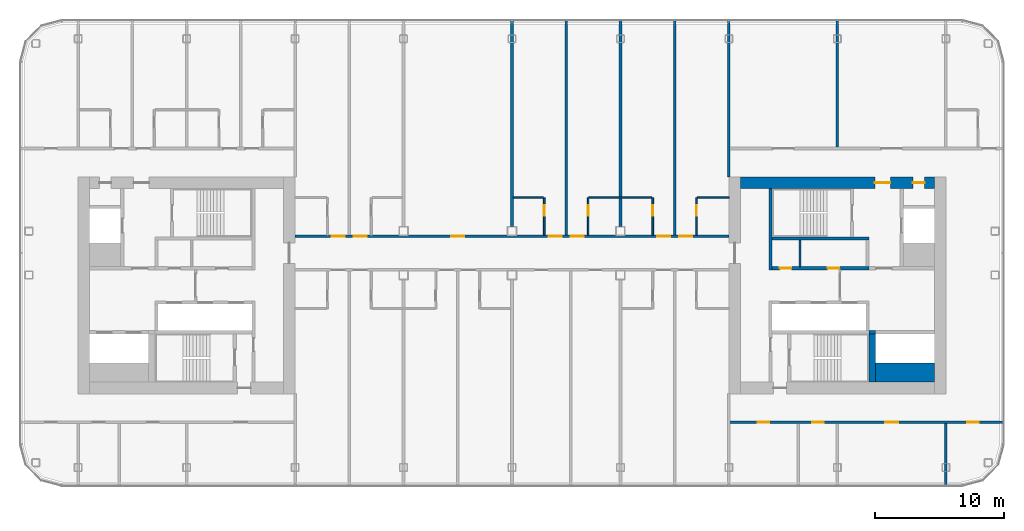
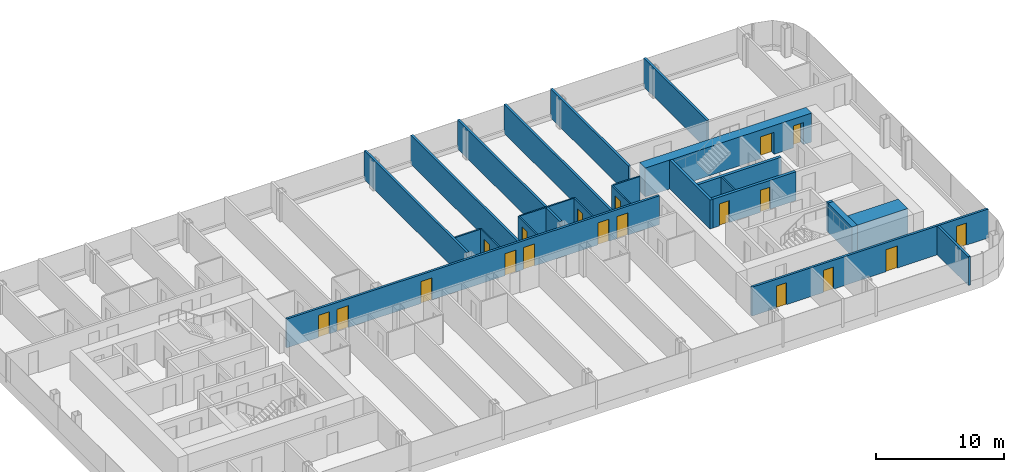
# One storey, part 16 of 26: 24 walls, 19 doors, 19 openings.
"""IFC4 building model written with IfcOpenShell, lengths in metres."""

from ifc_helpers import new_model, si_unit, direction, frame, frame_2d, origin, place, context, subcontext, project, spatial, rectangle, extrude, material, layer, layer_set, type_object, element, fill, save


model = new_model("IFC4")

# Units and contexts
model_context = context("Model", 3, precision=1e-05, world=origin(), true_north=direction((0.0, 1.0)))
body_context = subcontext(model_context, "Body", "Model", "MODEL_VIEW")
ifc_project = project(units=[si_unit("LENGTHUNIT", "METRE"), si_unit("AREAUNIT", "SQUARE_METRE"), si_unit("VOLUMEUNIT", "CUBIC_METRE"), si_unit("PLANEANGLEUNIT", "RADIAN"), si_unit("MASSUNIT", "GRAM", prefix="KILO")], contexts=[model_context])

# Site, building, storey
site_placement = place(None, origin())
site = spatial("IfcSite", under=ifc_project, at=site_placement, CompositionType="ELEMENT")
building_placement = place(site_placement, origin())
building = spatial("IfcBuilding", under=site, at=building_placement, Name="Hakoniwa Tower and Hamabe Station Hall", CompositionType="ELEMENT")
storey_placement = place(building_placement, frame((0.0, 0.0, 189.800048828125)))
storey = spatial("IfcBuildingStorey", under=building, at=storey_placement, Name="L53", CompositionType="ELEMENT", Elevation=189.800048828125)

# Walls
ifc_material_1 = material(Name="Gypsum board partition", Category="gypsum")
ifc_layer_1 = layer(ifc_material_1, 0.125)
ifc_layer_set_1 = layer_set([ifc_layer_1], Name="Bathroom Partition 125")
wall_type_1 = type_object("IfcWallType", Name="Bathroom Partition 125", PredefinedType="PARTITIONING", material=ifc_layer_set_1)
wall_1_placement = place(storey_placement, frame((0.10009765625, 6.800048828125, 0.0), z_axis=(0.0, 0.0, 1.0), x_axis=(1.0, 0.0, 0.0)))
element("IfcWall", 1, at=wall_1_placement, inside=storey, type_object=wall_type_1, Name="GW-L53-012", PredefinedType="PARTITIONING", context=body_context, shape_type="SweptSolid", body=[
    extrude(rectangle(XDim=2.33740234375, YDim=0.125, at=frame_2d((1.168701171875, 0.0))), origin(), (0.0, 0.0, 1.0), 2.75),
])
wall_2_placement = place(storey_placement, frame((5.96240234375, 6.800048828125, 0.0), z_axis=(0.0, 0.0, 1.0), x_axis=(1.0, 0.0, 0.0)))
element("IfcWall", 2, at=wall_2_placement, inside=storey, type_object=wall_type_1, Name="GW-L53-013", PredefinedType="PARTITIONING", context=body_context, shape_type="SweptSolid", body=[
    extrude(rectangle(XDim=4.875, YDim=0.125, at=frame_2d((2.4375, 0.0))), origin(), (0.0, 0.0, 1.0), 2.75),
])
wall_3_placement = place(storey_placement, frame((14.362548828125, 6.800048828125, 0.0), z_axis=(0.0, 0.0, 1.0), x_axis=(1.0, 0.0, 0.0)))
element("IfcWall", 3, at=wall_3_placement, inside=storey, type_object=wall_type_1, Name="GW-L53-014", PredefinedType="PARTITIONING", context=body_context, shape_type="SweptSolid", body=[
    extrude(rectangle(XDim=2.447509765625, YDim=0.125, at=frame_2d((1.2236328125, 0.0))), origin(), (0.0, 0.0, 1.0), 2.75),
])

# Wall, opening, door
wall_4_placement = place(storey_placement, frame((2.5, 3.89990234375, 0.0), z_axis=(0.0, 0.0, 1.0), x_axis=(0.0, 1.0, 0.0)))
wall_4 = element("IfcWall", 4, at=wall_4_placement, inside=storey, type_object=wall_type_1, Name="GW-L53-047", PredefinedType="PARTITIONING", context=body_context, shape_type="SweptSolid", body=[
    extrude(rectangle(XDim=2.900146484375, YDim=0.125, at=frame_2d((1.4501953125, 0.0))), origin(), (0.0, 0.0, 1.0), 2.75),
])
opening_1_placement = place(wall_4_placement, frame((1.5, 0.0, 0.0)))
opening_1 = element("IfcOpeningElement", 5, at=opening_1_placement, cuts=wall_4, Name="Opening GD-G4B0-42", PredefinedType="OPENING", context=body_context, shape_type="SweptSolid", body=[
    extrude(rectangle(XDim=0.800048828125, YDim=2.10009765625, at=frame_2d((0.39990234375, 1.050048828125))), frame((0.0, 0.072509765625, 0.0), z_axis=(0.0, -1.0, 0.0), x_axis=(1.0, 0.0, 0.0)), (0.0, 0.0, 1.0), 0.14501953125),
])
ifc_material_2 = material(Name="Timber door leaf", Category="wood")
door_type_1 = type_object("IfcDoorType", Name="Bathroom Door 800", OperationType="SINGLE_SWING_LEFT", PredefinedType="DOOR", material=ifc_material_2)
door_1_placement = place(opening_1_placement, origin())
door_1 = element("IfcDoor", 6, at=door_1_placement, inside=storey, type_object=door_type_1, Name="Door GD-G4B0-42", OperationType="SINGLE_SWING_LEFT", OverallHeight=2.10009765625, OverallWidth=0.800048828125, PredefinedType="DOOR", context=body_context, shape_type="SweptSolid", body=[
    extrude(rectangle(XDim=0.800048828125, YDim=2.10009765625, at=frame_2d((0.39990234375, 1.050048828125))), frame((0.0, 0.02490234375, 0.0), z_axis=(0.0, -1.0, 0.0), x_axis=(1.0, 0.0, 0.0)), (0.0, 0.0, 1.0), 0.050048828125),
])
fill(opening_1, door_1)

wall_5_placement = place(storey_placement, frame((5.89990234375, 3.89990234375, 0.0), z_axis=(0.0, 0.0, 1.0), x_axis=(0.0, 1.0, 0.0)))
wall_5 = element("IfcWall", 7, at=wall_5_placement, inside=storey, type_object=wall_type_1, Name="GW-L53-050", PredefinedType="PARTITIONING", context=body_context, shape_type="SweptSolid", body=[
    extrude(rectangle(XDim=2.900146484375, YDim=0.125, at=frame_2d((1.4501953125, 0.0))), origin(), (0.0, 0.0, 1.0), 2.75),
])
opening_2_placement = place(wall_5_placement, frame((1.5, 0.0, 0.0)))
opening_2 = element("IfcOpeningElement", 8, at=opening_2_placement, cuts=wall_5, Name="Opening GD-G4B0-43", PredefinedType="OPENING", context=body_context, shape_type="SweptSolid", body=[
    extrude(rectangle(XDim=0.800048828125, YDim=2.10009765625, at=frame_2d((0.39990234375, 1.050048828125))), frame((0.0, 0.072509765625, 0.0), z_axis=(0.0, -1.0, 0.0), x_axis=(1.0, 0.0, 0.0)), (0.0, 0.0, 1.0), 0.14501953125),
])
door_2_placement = place(opening_2_placement, origin())
door_2 = element("IfcDoor", 9, at=door_2_placement, inside=storey, type_object=door_type_1, Name="Door GD-G4B0-43", OperationType="SINGLE_SWING_RIGHT", OverallHeight=2.10009765625, OverallWidth=0.800048828125, PredefinedType="DOOR", context=body_context, shape_type="SweptSolid", body=[
    extrude(rectangle(XDim=0.800048828125, YDim=2.10009765625, at=frame_2d((0.39990234375, 1.050048828125))), frame((0.0, 0.02490234375, 0.0), z_axis=(0.0, -1.0, 0.0), x_axis=(1.0, 0.0, 0.0)), (0.0, 0.0, 1.0), 0.050048828125),
])
fill(opening_2, door_2)

wall_6_placement = place(storey_placement, frame((10.89990234375, 3.89990234375, 0.0), z_axis=(0.0, 0.0, 1.0), x_axis=(0.0, 1.0, 0.0)))
wall_6 = element("IfcWall", 10, at=wall_6_placement, inside=storey, type_object=wall_type_1, Name="GW-L53-054", PredefinedType="PARTITIONING", context=body_context, shape_type="SweptSolid", body=[
    extrude(rectangle(XDim=2.900146484375, YDim=0.125, at=frame_2d((1.4501953125, 0.0))), origin(), (0.0, 0.0, 1.0), 2.75),
])
opening_3_placement = place(wall_6_placement, frame((1.5, 0.0, 0.0)))
opening_3 = element("IfcOpeningElement", 11, at=opening_3_placement, cuts=wall_6, Name="Opening GD-G4B0-45", PredefinedType="OPENING", context=body_context, shape_type="SweptSolid", body=[
    extrude(rectangle(XDim=0.800048828125, YDim=2.10009765625, at=frame_2d((0.39990234375, 1.050048828125))), frame((0.0, 0.072509765625, 0.0), z_axis=(0.0, -1.0, 0.0), x_axis=(1.0, 0.0, 0.0)), (0.0, 0.0, 1.0), 0.14501953125),
])
door_3_placement = place(opening_3_placement, origin())
door_3 = element("IfcDoor", 12, at=door_3_placement, inside=storey, type_object=door_type_1, Name="Door GD-G4B0-45", OperationType="SINGLE_SWING_LEFT", OverallHeight=2.10009765625, OverallWidth=0.800048828125, PredefinedType="DOOR", context=body_context, shape_type="SweptSolid", body=[
    extrude(rectangle(XDim=0.800048828125, YDim=2.10009765625, at=frame_2d((0.39990234375, 1.050048828125))), frame((0.0, 0.02490234375, 0.0), z_axis=(0.0, -1.0, 0.0), x_axis=(1.0, 0.0, 0.0)), (0.0, 0.0, 1.0), 0.050048828125),
])
fill(opening_3, door_3)

wall_7_placement = place(storey_placement, frame((14.300048828125, 3.89990234375, 0.0), z_axis=(0.0, 0.0, 1.0), x_axis=(0.0, 1.0, 0.0)))
wall_7 = element("IfcWall", 13, at=wall_7_placement, inside=storey, type_object=wall_type_1, Name="GW-L53-058", PredefinedType="PARTITIONING", context=body_context, shape_type="SweptSolid", body=[
    extrude(rectangle(XDim=2.900146484375, YDim=0.125, at=frame_2d((1.4501953125, 0.0))), origin(), (0.0, 0.0, 1.0), 2.75),
])
opening_4_placement = place(wall_7_placement, frame((1.5, 0.0, 0.0)))
opening_4 = element("IfcOpeningElement", 14, at=opening_4_placement, cuts=wall_7, Name="Opening GD-G4B0-47", PredefinedType="OPENING", context=body_context, shape_type="SweptSolid", body=[
    extrude(rectangle(XDim=0.800048828125, YDim=2.10009765625, at=frame_2d((0.39990234375, 1.050048828125))), frame((0.0, 0.072509765625, 0.0), z_axis=(0.0, -1.0, 0.0), x_axis=(1.0, 0.0, 0.0)), (0.0, 0.0, 1.0), 0.14501953125),
])
door_4_placement = place(opening_4_placement, origin())
door_4 = element("IfcDoor", 15, at=door_4_placement, inside=storey, type_object=door_type_1, Name="Door GD-G4B0-47", OperationType="SINGLE_SWING_RIGHT", OverallHeight=2.10009765625, OverallWidth=0.800048828125, PredefinedType="DOOR", context=body_context, shape_type="SweptSolid", body=[
    extrude(rectangle(XDim=0.800048828125, YDim=2.10009765625, at=frame_2d((0.39990234375, 1.050048828125))), frame((0.0, 0.02490234375, 0.0), z_axis=(0.0, -1.0, 0.0), x_axis=(1.0, 0.0, 0.0)), (0.0, 0.0, 1.0), 0.050048828125),
])
fill(opening_4, door_4)

# Wall
ifc_material_3 = material(Name="Gypsum board partition")
ifc_layer_2 = layer(ifc_material_3, 0.14990234375)
ifc_layer_set_2 = layer_set([ifc_layer_2], Name="CORE PARTITION 150 EI 60")
wall_type_2 = type_object("IfcWallType", Name="CORE PARTITION 150 EI 60", PredefinedType="PARTITIONING", material=ifc_layer_set_2)
wall_8_placement = place(storey_placement, frame((22.300048828125, 1.449951171875, 0.0), z_axis=(0.0, 0.0, 1.0), x_axis=(0.0, 1.0, 0.0)))
element("IfcWall", 16, at=wall_8_placement, inside=storey, type_object=wall_type_2, Name="Core partition PFLR0 east", PredefinedType="PARTITIONING", context=body_context, shape_type="SweptSolid", body=[
    extrude(rectangle(XDim=2.050048828125, YDim=0.14990234375, at=frame_2d((1.02490234375, 0.0))), origin(), (0.0, 0.0, 1.0), 2.75),
])

# Wall, openings, doors
ifc_material_4 = material(Name="Concrete C60", Category="concrete")
ifc_layer_3 = layer(ifc_material_4, 0.89990234375)
ifc_layer_set_3 = layer_set([ifc_layer_3], Name="CORE WALL 900 C60")
wall_type_3 = type_object("IfcWallType", Name="CORE WALL 900 C60", PredefinedType="SHEAR", material=ifc_layer_set_3)
wall_9_placement = place(storey_placement, frame((17.699951171875, 7.949951171875, 0.0), z_axis=(0.0, 0.0, 1.0), x_axis=(1.0, 0.0, 0.0)))
wall_9 = element("IfcWall", 17, at=wall_9_placement, inside=storey, type_object=wall_type_3, Name="Core wall NORTH east", PredefinedType="SHEAR", context=body_context, shape_type="SweptSolid", body=[
    extrude(rectangle(XDim=15.0, YDim=0.89990234375, at=frame_2d((7.5, 0.0))), origin(), (0.0, 0.0, 1.0), 2.75),
])
opening_5_placement = place(wall_9_placement, frame((10.39990234375, 0.0, 0.0)))
opening_5 = element("IfcOpeningElement", 18, at=opening_5_placement, cuts=wall_9, Name="Opening CD-E-FN1-12", PredefinedType="OPENING", context=body_context, shape_type="SweptSolid", body=[
    extrude(rectangle(XDim=1.199951171875, YDim=2.10009765625, at=frame_2d((0.60009765625, 1.050048828125))), frame((0.0, 0.4599609375, 0.0), z_axis=(0.0, -1.0, 0.0), x_axis=(1.0, 0.0, 0.0)), (0.0, 0.0, 1.0), 0.919921875),
])
opening_6_placement = place(wall_9_placement, frame((13.35009765625, 0.0, 0.0)))
opening_6 = element("IfcOpeningElement", 19, at=opening_6_placement, cuts=wall_9, Name="Opening CD-E-FN2-9", PredefinedType="OPENING", context=body_context, shape_type="SweptSolid", body=[
    extrude(rectangle(XDim=0.89990234375, YDim=2.10009765625, at=frame_2d((0.449951171875, 1.050048828125))), frame((0.0, 0.4599609375, 0.0), z_axis=(0.0, -1.0, 0.0), x_axis=(1.0, 0.0, 0.0)), (0.0, 0.0, 1.0), 0.919921875),
])
ifc_material_5 = material(Name="Steel fire door", Category="steel")
door_type_2 = type_object("IfcDoorType", Name="CORE DOOR 1200 FD60", OperationType="DOUBLE_DOOR_SINGLE_SWING", PredefinedType="DOOR", material=ifc_material_5)
door_5_placement = place(opening_5_placement, origin())
door_5 = element("IfcDoor", 20, at=door_5_placement, inside=storey, type_object=door_type_2, Name="Stair vestibule door to the fire-fighting lobby", OperationType="DOUBLE_DOOR_SINGLE_SWING", OverallHeight=2.10009765625, OverallWidth=1.199951171875, PredefinedType="DOOR", context=body_context, shape_type="SweptSolid", body=[
    extrude(rectangle(XDim=1.199951171875, YDim=2.10009765625, at=frame_2d((0.60009765625, 1.050048828125))), frame((0.0, 0.02490234375, 0.0), z_axis=(0.0, -1.0, 0.0), x_axis=(1.0, 0.0, 0.0)), (0.0, 0.0, 1.0), 0.050048828125),
])
fill(opening_5, door_5)
ifc_material_6 = material(Name="Steel fire door", Category="steel")
door_type_3 = type_object("IfcDoorType", Name="CORE DOOR 900 FD30", OperationType="NOTDEFINED", PredefinedType="DOOR", material=ifc_material_6)
door_6_placement = place(opening_6_placement, origin())
door_6 = element("IfcDoor", 21, at=door_6_placement, inside=storey, type_object=door_type_3, Name="Riser access door", OperationType="SINGLE_SWING_LEFT", OverallHeight=2.10009765625, OverallWidth=0.89990234375, PredefinedType="DOOR", context=body_context, shape_type="SweptSolid", body=[
    extrude(rectangle(XDim=0.89990234375, YDim=2.10009765625, at=frame_2d((0.449951171875, 1.050048828125))), frame((0.0, 0.02490234375, 0.0), z_axis=(0.0, -1.0, 0.0), x_axis=(1.0, 0.0, 0.0)), (0.0, 0.0, 1.0), 0.050048828125),
])
fill(opening_6, door_6)

# Walls
ifc_material_7 = material(Name="Concrete C60", Category="concrete")
ifc_layer_4 = layer(ifc_material_7, 1.5)
ifc_layer_set_4 = layer_set([ifc_layer_4], Name="CORE WEB WALL 1500 C60")
wall_type_4 = type_object("IfcWallType", Name="CORE WEB WALL 1500 C60", PredefinedType="SHEAR", material=ifc_layer_set_4)
wall_10_placement = place(storey_placement, frame((28.14990234375, -6.75, 0.0), z_axis=(0.0, 0.0, 1.0), x_axis=(1.0, 0.0, 0.0)))
element("IfcWall", 22, at=wall_10_placement, inside=storey, type_object=wall_type_4, Name="Core wall SER east", PredefinedType="SHEAR", context=body_context, shape_type="SweptSolid", body=[
    extrude(rectangle(XDim=4.550048828125, YDim=1.5, at=frame_2d((2.27490234375, 0.0))), origin(), (0.0, 0.0, 1.0), 2.75),
])
ifc_material_8 = material(Name="Concrete C60", Category="concrete")
ifc_layer_5 = layer(ifc_material_8, 0.25)
ifc_layer_set_5 = layer_set([ifc_layer_5], Name="CORE WEB WALL 250 C60")
wall_type_5 = type_object("IfcWallType", Name="CORE WEB WALL 250 C60", PredefinedType="SHEAR", material=ifc_layer_set_5)
wall_11_placement = place(storey_placement, frame((20.02490234375, 1.199951171875, 0.0), z_axis=(0.0, 0.0, 1.0), x_axis=(0.0, 1.0, 0.0)))
element("IfcWall", 23, at=wall_11_placement, inside=storey, type_object=wall_type_5, Name="Core wall W1N east", PredefinedType="SHEAR", context=body_context, shape_type="SweptSolid", body=[
    extrude(rectangle(XDim=6.300048828125, YDim=0.25, at=frame_2d((3.14990234375, 0.0))), origin(), (0.0, 0.0, 1.0), 2.75),
])

# Wall, openings, doors
wall_12_placement = place(storey_placement, frame((20.14990234375, 1.324951171875, 0.0), z_axis=(0.0, 0.0, 1.0), x_axis=(1.0, 0.0, 0.0)))
wall_12 = element("IfcWall", 24, at=wall_12_placement, inside=storey, type_object=wall_type_5, Name="Core wall NF east", PredefinedType="SHEAR", context=body_context, shape_type="SweptSolid", body=[
    extrude(rectangle(XDim=7.5, YDim=0.25, at=frame_2d((3.75, 0.0))), origin(), (0.0, 0.0, 1.0), 2.75),
])
opening_7_placement = place(wall_12_placement, frame((0.58740234375, 0.0, 0.0)))
opening_7 = element("IfcOpeningElement", 25, at=opening_7_placement, cuts=wall_12, Name="Opening CD-E-FRLR0-9", PredefinedType="OPENING", context=body_context, shape_type="SweptSolid", body=[
    extrude(rectangle(XDim=0.89990234375, YDim=2.10009765625, at=frame_2d((0.449951171875, 1.050048828125))), frame((0.0, 0.135009765625, 0.0), z_axis=(0.0, -1.0, 0.0), x_axis=(1.0, 0.0, 0.0)), (0.0, 0.0, 1.0), 0.27001953125),
])
opening_8_placement = place(wall_12_placement, frame((4.28759765625, 0.0, 0.0)))
opening_8 = element("IfcOpeningElement", 26, at=opening_8_placement, cuts=wall_12, Name="Opening CD-E-FRLR1-9", PredefinedType="OPENING", context=body_context, shape_type="SweptSolid", body=[
    extrude(rectangle(XDim=0.89990234375, YDim=2.10009765625, at=frame_2d((0.449951171875, 1.050048828125))), frame((0.0, 0.135009765625, 0.0), z_axis=(0.0, -1.0, 0.0), x_axis=(1.0, 0.0, 0.0)), (0.0, 0.0, 1.0), 0.27001953125),
])
door_7_placement = place(opening_7_placement, origin())
door_7 = element("IfcDoor", 27, at=door_7_placement, inside=storey, type_object=door_type_3, Name="Store room door", OperationType="SINGLE_SWING_LEFT", OverallHeight=2.10009765625, OverallWidth=0.89990234375, PredefinedType="DOOR", context=body_context, shape_type="SweptSolid", body=[
    extrude(rectangle(XDim=0.89990234375, YDim=2.10009765625, at=frame_2d((0.449951171875, 1.050048828125))), frame((0.0, 0.02490234375, 0.0), z_axis=(0.0, -1.0, 0.0), x_axis=(1.0, 0.0, 0.0)), (0.0, 0.0, 1.0), 0.050048828125),
])
fill(opening_7, door_7)
door_8_placement = place(opening_8_placement, origin())
door_8 = element("IfcDoor", 28, at=door_8_placement, inside=storey, type_object=door_type_3, Name="Store room door", OperationType="SINGLE_SWING_LEFT", OverallHeight=2.10009765625, OverallWidth=0.89990234375, PredefinedType="DOOR", context=body_context, shape_type="SweptSolid", body=[
    extrude(rectangle(XDim=0.89990234375, YDim=2.10009765625, at=frame_2d((0.449951171875, 1.050048828125))), frame((0.0, 0.02490234375, 0.0), z_axis=(0.0, -1.0, 0.0), x_axis=(1.0, 0.0, 0.0)), (0.0, 0.0, 1.0), 0.050048828125),
])
fill(opening_8, door_8)

# Walls
wall_13_placement = place(storey_placement, frame((20.14990234375, 3.625, 0.0), z_axis=(0.0, 0.0, 1.0), x_axis=(1.0, 0.0, 0.0)))
element("IfcWall", 29, at=wall_13_placement, inside=storey, type_object=wall_type_5, Name="Core wall NR east", PredefinedType="SHEAR", context=body_context, shape_type="SweptSolid", body=[
    extrude(rectangle(XDim=7.5, YDim=0.25, at=frame_2d((3.75, 0.0))), origin(), (0.0, 0.0, 1.0), 2.75),
])
wall_14_placement = place(storey_placement, frame((27.64990234375, -3.625, 0.0), z_axis=(0.0, 0.0, 1.0), x_axis=(1.0, 0.0, 0.0)))
element("IfcWall", 30, at=wall_14_placement, inside=storey, type_object=wall_type_5, Name="Core wall SRK east", PredefinedType="SHEAR", context=body_context, shape_type="SweptSolid", body=[
    extrude(rectangle(XDim=0.5, YDim=0.25, at=frame_2d((0.25, 0.0))), origin(), (0.0, 0.0, 1.0), 2.75),
])
ifc_material_9 = material(Name="Concrete C60", Category="concrete")
ifc_layer_6 = layer(ifc_material_9, 0.5)
ifc_layer_set_6 = layer_set([ifc_layer_6], Name="CORE WEB WALL 500 C60")
wall_type_6 = type_object("IfcWallType", Name="CORE WEB WALL 500 C60", PredefinedType="SHEAR", material=ifc_layer_set_6)
wall_15_placement = place(storey_placement, frame((27.89990234375, -7.5, 0.0), z_axis=(0.0, 0.0, 1.0), x_axis=(0.0, 1.0, 0.0)))
element("IfcWall", 31, at=wall_15_placement, inside=storey, type_object=wall_type_6, Name="Core wall SSE east", PredefinedType="SHEAR", context=body_context, shape_type="SweptSolid", body=[
    extrude(rectangle(XDim=3.75, YDim=0.5, at=frame_2d((1.875, 0.0))), origin(), (0.0, 0.0, 1.0), 2.75),
])

# Wall, openings, doors
ifc_material_10 = material(Name="Fire-rated gypsum board partition", Category="gypsum")
ifc_layer_7 = layer(ifc_material_10, 0.199951171875)
ifc_layer_set_7 = layer_set([ifc_layer_7], Name="Corridor Wall 200")
wall_type_7 = type_object("IfcWallType", Name="Corridor Wall 200", PredefinedType="PARTITIONING", material=ifc_layer_set_7)
wall_16_placement = place(storey_placement, frame((16.800048828125, -10.60009765625, 0.0), z_axis=(0.0, 0.0, 1.0), x_axis=(1.0, 0.0, 0.0)))
wall_16 = element("IfcWall", 32, at=wall_16_placement, inside=storey, type_object=wall_type_7, Name="GW-L53-002", PredefinedType="PARTITIONING", context=body_context, shape_type="SweptSolid", body=[
    extrude(rectangle(XDim=21.300048828125, YDim=0.199951171875, at=frame_2d((10.64990234375, 0.0))), origin(), (0.0, 0.0, 1.0), 2.75),
])
opening_9_placement = place(wall_16_placement, frame((2.239990234375, 0.0, 0.0)))
opening_9 = element("IfcOpeningElement", 33, at=opening_9_placement, cuts=wall_16, Name="Opening GD-G4B0-05", PredefinedType="OPENING", context=body_context, shape_type="SweptSolid", body=[
    extrude(rectangle(XDim=0.89990234375, YDim=2.10009765625, at=frame_2d((0.449951171875, 1.050048828125))), frame((0.0, 0.10986328125, 0.0), z_axis=(0.0, -1.0, 0.0), x_axis=(1.0, 0.0, 0.0)), (0.0, 0.0, 1.0), 0.219970703125),
])
opening_10_placement = place(wall_16_placement, frame((6.43994140625, 0.0, 0.0)))
opening_10 = element("IfcOpeningElement", 34, at=opening_10_placement, cuts=wall_16, Name="Opening GD-G4B0-06", PredefinedType="OPENING", context=body_context, shape_type="SweptSolid", body=[
    extrude(rectangle(XDim=0.89990234375, YDim=2.10009765625, at=frame_2d((0.449951171875, 1.050048828125))), frame((0.0, 0.10986328125, 0.0), z_axis=(0.0, -1.0, 0.0), x_axis=(1.0, 0.0, 0.0)), (0.0, 0.0, 1.0), 0.219970703125),
])
opening_11_placement = place(wall_16_placement, frame((12.10009765625, 0.0, 0.0)))
opening_11 = element("IfcOpeningElement", 35, at=opening_11_placement, cuts=wall_16, Name="Opening GD-G4B0-07", PredefinedType="OPENING", context=body_context, shape_type="SweptSolid", body=[
    extrude(rectangle(XDim=1.0, YDim=2.10009765625, at=frame_2d((0.5, 1.050048828125))), frame((0.0, 0.10986328125, 0.0), z_axis=(0.0, -1.0, 0.0), x_axis=(1.0, 0.0, 0.0)), (0.0, 0.0, 1.0), 0.219970703125),
])
opening_12_placement = place(wall_16_placement, frame((18.449951171875, 0.0, 0.0)))
opening_12 = element("IfcOpeningElement", 36, at=opening_12_placement, cuts=wall_16, Name="Opening GD-G4B0-08", PredefinedType="OPENING", context=body_context, shape_type="SweptSolid", body=[
    extrude(rectangle(XDim=0.89990234375, YDim=2.10009765625, at=frame_2d((0.449951171875, 1.050048828125))), frame((0.0, 0.10986328125, 0.0), z_axis=(0.0, -1.0, 0.0), x_axis=(1.0, 0.0, 0.0)), (0.0, 0.0, 1.0), 0.219970703125),
])
ifc_material_11 = material(Name="Timber door leaf", Category="wood")
door_type_4 = type_object("IfcDoorType", Name="Guest Entrance Door 1000", OperationType="SINGLE_SWING_LEFT", PredefinedType="DOOR", material=ifc_material_11)
door_9_placement = place(opening_11_placement, origin())
door_9 = element("IfcDoor", 37, at=door_9_placement, inside=storey, type_object=door_type_4, Name="Door GD-G4B0-07", OperationType="SINGLE_SWING_LEFT", OverallHeight=2.10009765625, OverallWidth=1.0, PredefinedType="DOOR", context=body_context, shape_type="SweptSolid", body=[
    extrude(rectangle(XDim=1.0, YDim=2.10009765625, at=frame_2d((0.5, 1.050048828125))), frame((0.0, 0.02490234375, 0.0), z_axis=(0.0, -1.0, 0.0), x_axis=(1.0, 0.0, 0.0)), (0.0, 0.0, 1.0), 0.050048828125),
])
fill(opening_11, door_9)
ifc_material_12 = material(Name="Timber door leaf", Category="wood")
door_type_5 = type_object("IfcDoorType", Name="Service Door 900", OperationType="SINGLE_SWING_LEFT", PredefinedType="DOOR", material=ifc_material_12)
door_10_placement = place(opening_9_placement, origin())
door_10 = element("IfcDoor", 38, at=door_10_placement, inside=storey, type_object=door_type_5, Name="Door GD-G4B0-05", OperationType="SINGLE_SWING_LEFT", OverallHeight=2.10009765625, OverallWidth=0.89990234375, PredefinedType="DOOR", context=body_context, shape_type="SweptSolid", body=[
    extrude(rectangle(XDim=0.89990234375, YDim=2.10009765625, at=frame_2d((0.449951171875, 1.050048828125))), frame((0.0, 0.02490234375, 0.0), z_axis=(0.0, -1.0, 0.0), x_axis=(1.0, 0.0, 0.0)), (0.0, 0.0, 1.0), 0.050048828125),
])
fill(opening_9, door_10)
door_11_placement = place(opening_10_placement, origin())
door_11 = element("IfcDoor", 39, at=door_11_placement, inside=storey, type_object=door_type_5, Name="Door GD-G4B0-06", OperationType="SINGLE_SWING_RIGHT", OverallHeight=2.10009765625, OverallWidth=0.89990234375, PredefinedType="DOOR", context=body_context, shape_type="SweptSolid", body=[
    extrude(rectangle(XDim=0.89990234375, YDim=2.10009765625, at=frame_2d((0.449951171875, 1.050048828125))), frame((0.0, 0.02490234375, 0.0), z_axis=(0.0, -1.0, 0.0), x_axis=(1.0, 0.0, 0.0)), (0.0, 0.0, 1.0), 0.050048828125),
])
fill(opening_10, door_11)
door_12_placement = place(opening_12_placement, origin())
door_12 = element("IfcDoor", 40, at=door_12_placement, inside=storey, type_object=door_type_5, Name="Door GD-G4B0-08", OperationType="SINGLE_SWING_LEFT", OverallHeight=2.10009765625, OverallWidth=0.89990234375, PredefinedType="DOOR", context=body_context, shape_type="SweptSolid", body=[
    extrude(rectangle(XDim=0.89990234375, YDim=2.10009765625, at=frame_2d((0.449951171875, 1.050048828125))), frame((0.0, 0.02490234375, 0.0), z_axis=(0.0, -1.0, 0.0), x_axis=(1.0, 0.0, 0.0)), (0.0, 0.0, 1.0), 0.050048828125),
])
fill(opening_12, door_12)

wall_17_placement = place(storey_placement, frame((-16.800048828125, 3.800048828125, 0.0), z_axis=(0.0, 0.0, 1.0), x_axis=(1.0, 0.0, 0.0)))
wall_17 = element("IfcWall", 41, at=wall_17_placement, inside=storey, type_object=wall_type_7, Name="GW-L53-009", PredefinedType="PARTITIONING", context=body_context, shape_type="SweptSolid", body=[
    extrude(rectangle(XDim=33.60009765625, YDim=0.199951171875, at=frame_2d((16.800048828125, 0.0))), origin(), (0.0, 0.0, 1.0), 2.75),
])
opening_13_placement = place(wall_17_placement, frame((2.85009765625, 0.0, 0.0)))
opening_13 = element("IfcOpeningElement", 42, at=opening_13_placement, cuts=wall_17, Name="Opening GD-G4B0-17", PredefinedType="OPENING", context=body_context, shape_type="SweptSolid", body=[
    extrude(rectangle(XDim=1.0, YDim=2.10009765625, at=frame_2d((0.5, 1.050048828125))), frame((0.0, 0.10986328125, 0.0), z_axis=(0.0, -1.0, 0.0), x_axis=(1.0, 0.0, 0.0)), (0.0, 0.0, 1.0), 0.219970703125),
])
opening_14_placement = place(wall_17_placement, frame((4.550048828125, 0.0, 0.0)))
opening_14 = element("IfcOpeningElement", 43, at=opening_14_placement, cuts=wall_17, Name="Opening GD-G4B0-18", PredefinedType="OPENING", context=body_context, shape_type="SweptSolid", body=[
    extrude(rectangle(XDim=1.0, YDim=2.10009765625, at=frame_2d((0.5, 1.050048828125))), frame((0.0, 0.10986328125, 0.0), z_axis=(0.0, -1.0, 0.0), x_axis=(1.0, 0.0, 0.0)), (0.0, 0.0, 1.0), 0.219970703125),
])
opening_15_placement = place(wall_17_placement, frame((12.10009765625, 0.0, 0.0)))
opening_15 = element("IfcOpeningElement", 44, at=opening_15_placement, cuts=wall_17, Name="Opening GD-G4B0-19", PredefinedType="OPENING", context=body_context, shape_type="SweptSolid", body=[
    extrude(rectangle(XDim=1.0, YDim=2.10009765625, at=frame_2d((0.5, 1.050048828125))), frame((0.0, 0.10986328125, 0.0), z_axis=(0.0, -1.0, 0.0), x_axis=(1.0, 0.0, 0.0)), (0.0, 0.0, 1.0), 0.219970703125),
])
opening_16_placement = place(wall_17_placement, frame((19.64990234375, 0.0, 0.0)))
opening_16 = element("IfcOpeningElement", 45, at=opening_16_placement, cuts=wall_17, Name="Opening GD-G4B0-20", PredefinedType="OPENING", context=body_context, shape_type="SweptSolid", body=[
    extrude(rectangle(XDim=1.0, YDim=2.10009765625, at=frame_2d((0.5, 1.050048828125))), frame((0.0, 0.10986328125, 0.0), z_axis=(0.0, -1.0, 0.0), x_axis=(1.0, 0.0, 0.0)), (0.0, 0.0, 1.0), 0.219970703125),
])
opening_17_placement = place(wall_17_placement, frame((21.35009765625, 0.0, 0.0)))
opening_17 = element("IfcOpeningElement", 46, at=opening_17_placement, cuts=wall_17, Name="Opening GD-G4B0-21", PredefinedType="OPENING", context=body_context, shape_type="SweptSolid", body=[
    extrude(rectangle(XDim=1.0, YDim=2.10009765625, at=frame_2d((0.5, 1.050048828125))), frame((0.0, 0.10986328125, 0.0), z_axis=(0.0, -1.0, 0.0), x_axis=(1.0, 0.0, 0.0)), (0.0, 0.0, 1.0), 0.219970703125),
])
opening_18_placement = place(wall_17_placement, frame((28.050048828125, 0.0, 0.0)))
opening_18 = element("IfcOpeningElement", 47, at=opening_18_placement, cuts=wall_17, Name="Opening GD-G4B0-22", PredefinedType="OPENING", context=body_context, shape_type="SweptSolid", body=[
    extrude(rectangle(XDim=1.0, YDim=2.10009765625, at=frame_2d((0.5, 1.050048828125))), frame((0.0, 0.10986328125, 0.0), z_axis=(0.0, -1.0, 0.0), x_axis=(1.0, 0.0, 0.0)), (0.0, 0.0, 1.0), 0.219970703125),
])
opening_19_placement = place(wall_17_placement, frame((29.75, 0.0, 0.0)))
opening_19 = element("IfcOpeningElement", 48, at=opening_19_placement, cuts=wall_17, Name="Opening GD-G4B0-23", PredefinedType="OPENING", context=body_context, shape_type="SweptSolid", body=[
    extrude(rectangle(XDim=1.0, YDim=2.10009765625, at=frame_2d((0.5, 1.050048828125))), frame((0.0, 0.10986328125, 0.0), z_axis=(0.0, -1.0, 0.0), x_axis=(1.0, 0.0, 0.0)), (0.0, 0.0, 1.0), 0.219970703125),
])
door_13_placement = place(opening_13_placement, origin())
door_13 = element("IfcDoor", 49, at=door_13_placement, inside=storey, type_object=door_type_4, Name="Door GD-G4B0-17", OperationType="SINGLE_SWING_LEFT", OverallHeight=2.10009765625, OverallWidth=1.0, PredefinedType="DOOR", context=body_context, shape_type="SweptSolid", body=[
    extrude(rectangle(XDim=1.0, YDim=2.10009765625, at=frame_2d((0.5, 1.050048828125))), frame((0.0, 0.02490234375, 0.0), z_axis=(0.0, -1.0, 0.0), x_axis=(1.0, 0.0, 0.0)), (0.0, 0.0, 1.0), 0.050048828125),
])
fill(opening_13, door_13)
door_14_placement = place(opening_14_placement, origin())
door_14 = element("IfcDoor", 50, at=door_14_placement, inside=storey, type_object=door_type_4, Name="Door GD-G4B0-18", OperationType="SINGLE_SWING_RIGHT", OverallHeight=2.10009765625, OverallWidth=1.0, PredefinedType="DOOR", context=body_context, shape_type="SweptSolid", body=[
    extrude(rectangle(XDim=1.0, YDim=2.10009765625, at=frame_2d((0.5, 1.050048828125))), frame((0.0, 0.02490234375, 0.0), z_axis=(0.0, -1.0, 0.0), x_axis=(1.0, 0.0, 0.0)), (0.0, 0.0, 1.0), 0.050048828125),
])
fill(opening_14, door_14)
door_15_placement = place(opening_15_placement, origin())
door_15 = element("IfcDoor", 51, at=door_15_placement, inside=storey, type_object=door_type_4, Name="Door GD-G4B0-19", OperationType="SINGLE_SWING_LEFT", OverallHeight=2.10009765625, OverallWidth=1.0, PredefinedType="DOOR", context=body_context, shape_type="SweptSolid", body=[
    extrude(rectangle(XDim=1.0, YDim=2.10009765625, at=frame_2d((0.5, 1.050048828125))), frame((0.0, 0.02490234375, 0.0), z_axis=(0.0, -1.0, 0.0), x_axis=(1.0, 0.0, 0.0)), (0.0, 0.0, 1.0), 0.050048828125),
])
fill(opening_15, door_15)
door_16_placement = place(opening_16_placement, origin())
door_16 = element("IfcDoor", 52, at=door_16_placement, inside=storey, type_object=door_type_4, Name="Door GD-G4B0-20", OperationType="SINGLE_SWING_LEFT", OverallHeight=2.10009765625, OverallWidth=1.0, PredefinedType="DOOR", context=body_context, shape_type="SweptSolid", body=[
    extrude(rectangle(XDim=1.0, YDim=2.10009765625, at=frame_2d((0.5, 1.050048828125))), frame((0.0, 0.02490234375, 0.0), z_axis=(0.0, -1.0, 0.0), x_axis=(1.0, 0.0, 0.0)), (0.0, 0.0, 1.0), 0.050048828125),
])
fill(opening_16, door_16)
door_17_placement = place(opening_17_placement, origin())
door_17 = element("IfcDoor", 53, at=door_17_placement, inside=storey, type_object=door_type_4, Name="Door GD-G4B0-21", OperationType="SINGLE_SWING_RIGHT", OverallHeight=2.10009765625, OverallWidth=1.0, PredefinedType="DOOR", context=body_context, shape_type="SweptSolid", body=[
    extrude(rectangle(XDim=1.0, YDim=2.10009765625, at=frame_2d((0.5, 1.050048828125))), frame((0.0, 0.02490234375, 0.0), z_axis=(0.0, -1.0, 0.0), x_axis=(1.0, 0.0, 0.0)), (0.0, 0.0, 1.0), 0.050048828125),
])
fill(opening_17, door_17)
door_18_placement = place(opening_18_placement, origin())
door_18 = element("IfcDoor", 54, at=door_18_placement, inside=storey, type_object=door_type_4, Name="Door GD-G4B0-22", OperationType="SINGLE_SWING_LEFT", OverallHeight=2.10009765625, OverallWidth=1.0, PredefinedType="DOOR", context=body_context, shape_type="SweptSolid", body=[
    extrude(rectangle(XDim=1.0, YDim=2.10009765625, at=frame_2d((0.5, 1.050048828125))), frame((0.0, 0.02490234375, 0.0), z_axis=(0.0, -1.0, 0.0), x_axis=(1.0, 0.0, 0.0)), (0.0, 0.0, 1.0), 0.050048828125),
])
fill(opening_18, door_18)
door_19_placement = place(opening_19_placement, origin())
door_19 = element("IfcDoor", 55, at=door_19_placement, inside=storey, type_object=door_type_4, Name="Door GD-G4B0-23", OperationType="SINGLE_SWING_RIGHT", OverallHeight=2.10009765625, OverallWidth=1.0, PredefinedType="DOOR", context=body_context, shape_type="SweptSolid", body=[
    extrude(rectangle(XDim=1.0, YDim=2.10009765625, at=frame_2d((0.5, 1.050048828125))), frame((0.0, 0.02490234375, 0.0), z_axis=(0.0, -1.0, 0.0), x_axis=(1.0, 0.0, 0.0)), (0.0, 0.0, 1.0), 0.050048828125),
])
fill(opening_19, door_19)

# Walls
ifc_material_13 = material(Name="Fire-rated gypsum board partition", Category="gypsum")
ifc_layer_8 = layer(ifc_material_13, 0.199951171875)
ifc_layer_set_8 = layer_set([ifc_layer_8], Name="Party Wall 200")
wall_type_8 = type_object("IfcWallType", Name="Party Wall 200", PredefinedType="PARTITIONING", material=ifc_layer_set_8)
wall_18_placement = place(storey_placement, frame((0.0, 4.5400390625, 0.0), z_axis=(0.0, 0.0, 1.0), x_axis=(0.0, 1.0, 0.0)))
element("IfcWall", 56, at=wall_18_placement, inside=storey, type_object=wall_type_8, Name="GW-L53-046", PredefinedType="PARTITIONING", context=body_context, shape_type="SweptSolid", body=[
    extrude(rectangle(XDim=16.010009765625, YDim=0.199951171875, at=frame_2d((8.0048828125, 0.0))), origin(), (0.0, 0.0, 1.0), 2.75),
])
wall_19_placement = place(storey_placement, frame((4.199951171875, 3.89990234375, 0.0), z_axis=(0.0, 0.0, 1.0), x_axis=(0.0, 1.0, 0.0)))
element("IfcWall", 57, at=wall_19_placement, inside=storey, type_object=wall_type_8, Name="GW-L53-048", PredefinedType="PARTITIONING", context=body_context, shape_type="SweptSolid", body=[
    extrude(rectangle(XDim=16.650146484375, YDim=0.199951171875, at=frame_2d((8.3251953125, 0.0))), origin(), (0.0, 0.0, 1.0), 2.75),
])
wall_20_placement = place(storey_placement, frame((8.39990234375, 4.5400390625, 0.0), z_axis=(0.0, 0.0, 1.0), x_axis=(0.0, 1.0, 0.0)))
element("IfcWall", 58, at=wall_20_placement, inside=storey, type_object=wall_type_8, Name="GW-L53-052", PredefinedType="PARTITIONING", context=body_context, shape_type="SweptSolid", body=[
    extrude(rectangle(XDim=16.010009765625, YDim=0.199951171875, at=frame_2d((8.0048828125, 0.0))), origin(), (0.0, 0.0, 1.0), 2.75),
])
wall_21_placement = place(storey_placement, frame((12.60009765625, 3.89990234375, 0.0), z_axis=(0.0, 0.0, 1.0), x_axis=(0.0, 1.0, 0.0)))
element("IfcWall", 59, at=wall_21_placement, inside=storey, type_object=wall_type_8, Name="GW-L53-056", PredefinedType="PARTITIONING", context=body_context, shape_type="SweptSolid", body=[
    extrude(rectangle(XDim=16.650146484375, YDim=0.199951171875, at=frame_2d((8.3251953125, 0.0))), origin(), (0.0, 0.0, 1.0), 2.75),
])
wall_22_placement = place(storey_placement, frame((16.800048828125, 8.389892578125, 0.0), z_axis=(0.0, 0.0, 1.0), x_axis=(0.0, 1.0, 0.0)))
element("IfcWall", 60, at=wall_22_placement, inside=storey, type_object=wall_type_8, Name="GW-L53-060", PredefinedType="PARTITIONING", context=body_context, shape_type="SweptSolid", body=[
    extrude(rectangle(XDim=12.16015625, YDim=0.199951171875, at=frame_2d((6.080078125, 0.0))), origin(), (0.0, 0.0, 1.0), 2.75),
])
wall_23_placement = place(storey_placement, frame((25.199951171875, 10.699951171875, 0.0), z_axis=(0.0, 0.0, 1.0), x_axis=(0.0, 1.0, 0.0)))
element("IfcWall", 61, at=wall_23_placement, inside=storey, type_object=wall_type_8, Name="GW-L53-063", PredefinedType="PARTITIONING", context=body_context, shape_type="SweptSolid", body=[
    extrude(rectangle(XDim=9.85009765625, YDim=0.199951171875, at=frame_2d((4.925048828125, 0.0))), origin(), (0.0, 0.0, 1.0), 2.75),
])
wall_24_placement = place(storey_placement, frame((33.60009765625, -15.550048828125, 0.0), z_axis=(0.0, 0.0, 1.0), x_axis=(0.0, 1.0, 0.0)))
element("IfcWall", 62, at=wall_24_placement, inside=storey, type_object=wall_type_8, Name="GW-L53-064", PredefinedType="PARTITIONING", context=body_context, shape_type="SweptSolid", body=[
    extrude(rectangle(XDim=4.85009765625, YDim=0.199951171875, at=frame_2d((2.425048828125, 0.0))), origin(), (0.0, 0.0, 1.0), 2.75),
])

save(model, "model.ifc")
